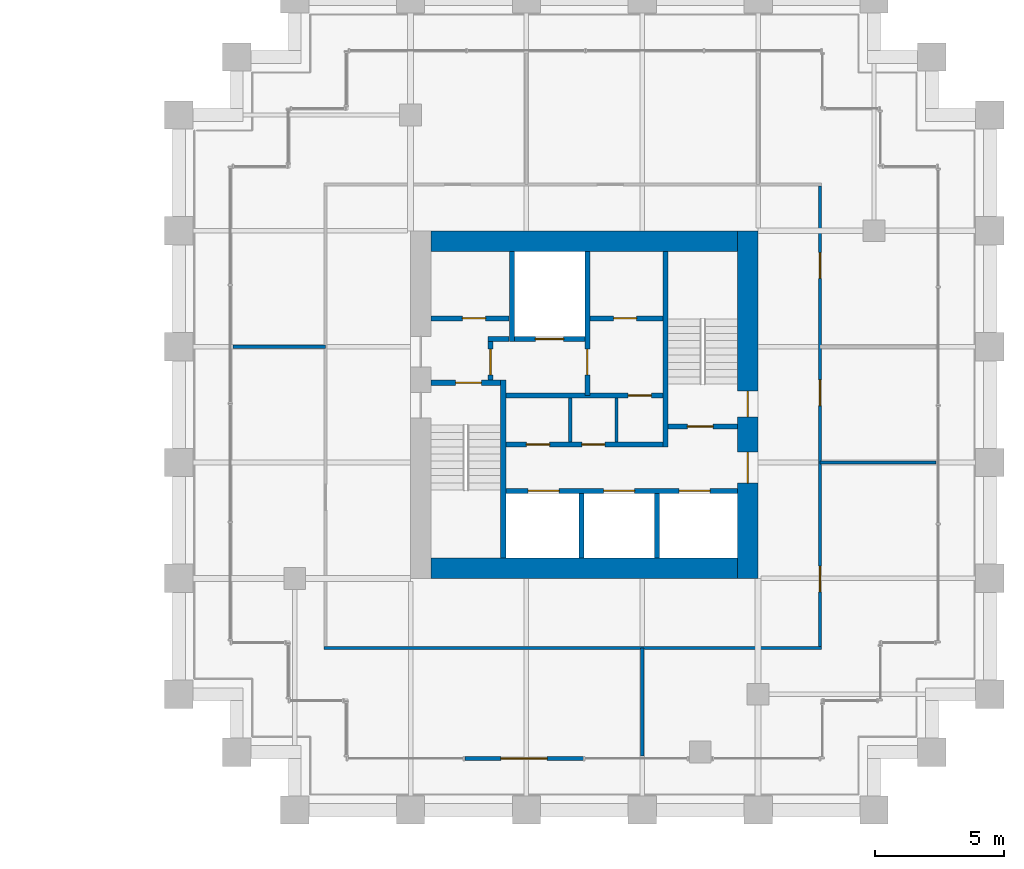
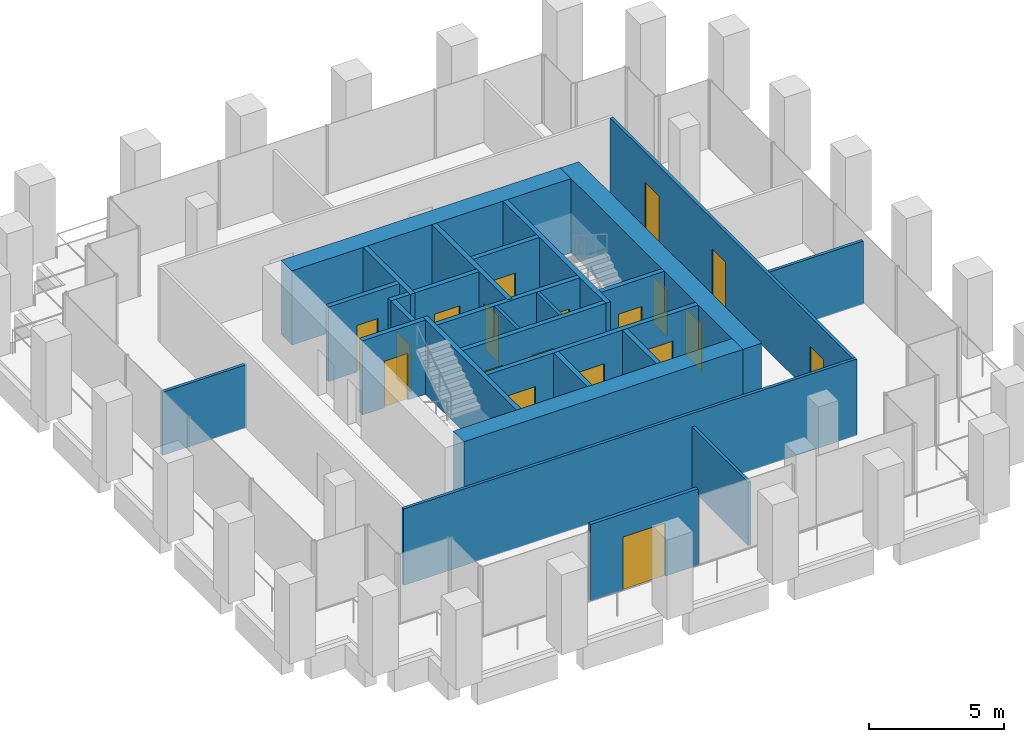
# One storey, part 52 of 54: 27 walls, 19 doors, 19 openings.
"""IFC4 building model written with IfcOpenShell, lengths in metres."""

from ifc_helpers import new_model, si_unit, direction, frame, frame_2d, origin, place, context, subcontext, project, spatial, rectangle, extrude, material, layer, layer_set, type_object, element, fill, save


model = new_model("IFC4")

# Units and contexts
model_context = context("Model", 3, precision=1e-05, world=origin(), true_north=direction((0.0, 1.0)))
body_context = subcontext(model_context, "Body", "Model", "MODEL_VIEW")
ifc_project = project(units=[si_unit("LENGTHUNIT", "METRE"), si_unit("AREAUNIT", "SQUARE_METRE"), si_unit("VOLUMEUNIT", "CUBIC_METRE"), si_unit("PLANEANGLEUNIT", "RADIAN"), si_unit("MASSUNIT", "GRAM", prefix="KILO")], contexts=[model_context])

# Site, building, storey
site_placement = place(None, origin())
site = spatial("IfcSite", under=ifc_project, at=site_placement, CompositionType="ELEMENT")
building_placement = place(site_placement, origin())
building = spatial("IfcBuilding", under=site, at=building_placement, Name="Altepetl Exchange Towers", CompositionType="ELEMENT")
storey_placement = place(building_placement, frame((0.0, 0.0, 58.199951171875)))
storey = spatial("IfcBuildingStorey", under=building, at=storey_placement, Name="L13", CompositionType="ELEMENT", Elevation=58.199951171875)

# Wall, openings, doors
ifc_material_1 = material(Name="Concrete C70/85", Category="concrete")
ifc_layer_1 = layer(ifc_material_1, 0.800048828125)
ifc_layer_set_1 = layer_set([ifc_layer_1], Name="Concrete C70/85")
wall_type_1 = type_object("IfcWallType", Name="Core wall 800 reinforced concrete", PredefinedType="SHEAR", material=ifc_layer_set_1)
wall_1_placement = place(storey_placement, frame((116.60009765625, 36.0, 0.0), z_axis=(0.0, 0.0, 1.0), x_axis=(0.0, 1.0, 0.0)))
wall_1 = element("IfcWall", 1, at=wall_1_placement, inside=storey, type_object=wall_type_1, Name="wall:B:L13:K-coreE", PredefinedType="SHEAR", context=body_context, shape_type="SweptSolid", body=[
    extrude(rectangle(XDim=13.5, YDim=0.800048828125, at=frame_2d((6.75, 0.0))), origin(), (0.0, 0.0, 1.0), 3.35009765625),
])
opening_1_placement = place(wall_1_placement, frame((3.699951171875, 0.0, 0.0)))
opening_1 = element("IfcOpeningElement", 2, at=opening_1_placement, cuts=wall_1, Name="Opening L13.B61", PredefinedType="OPENING", context=body_context, shape_type="SweptSolid", body=[
    extrude(rectangle(XDim=1.199951171875, YDim=2.10009765625, at=frame_2d((0.60009765625, 1.050048828125))), frame((0.0, 0.41015625, 0.0), z_axis=(0.0, -1.0, 0.0), x_axis=(1.0, 0.0, 0.0)), (0.0, 0.0, 1.0), 0.820068359375),
])
opening_2_placement = place(wall_1_placement, frame((6.27490234375, 0.0, 0.0)))
opening_2 = element("IfcOpeningElement", 3, at=opening_2_placement, cuts=wall_1, Name="Opening L13.B65", PredefinedType="OPENING", context=body_context, shape_type="SweptSolid", body=[
    extrude(rectangle(XDim=1.0, YDim=2.10009765625, at=frame_2d((0.5, 1.050048828125))), frame((0.0, 0.41015625, 0.0), z_axis=(0.0, -1.0, 0.0), x_axis=(1.0, 0.0, 0.0)), (0.0, 0.0, 1.0), 0.820068359375),
])
ifc_material_2 = material(Name="Steel and timber fire door", Category="steel")
door_type_1 = type_object("IfcDoorType", Name="Fire door 1000 x 2100 stair and lobby", OperationType="SINGLE_SWING_LEFT", PredefinedType="DOOR", material=ifc_material_2)
door_1_placement = place(opening_2_placement, origin())
door_1 = element("IfcDoor", 4, at=door_1_placement, inside=storey, type_object=door_type_1, Name="door:B:L13:K-dS2x", OperationType="SINGLE_SWING_LEFT", OverallHeight=2.10009765625, OverallWidth=1.0, PredefinedType="DOOR", context=body_context, shape_type="SweptSolid", body=[
    extrude(rectangle(XDim=1.0, YDim=2.10009765625, at=frame_2d((0.5, 1.050048828125))), frame((0.0, 0.02490234375, 0.0), z_axis=(0.0, -1.0, 0.0), x_axis=(1.0, 0.0, 0.0)), (0.0, 0.0, 1.0), 0.050048828125),
])
fill(opening_2, door_1)
door_type_2 = type_object("IfcDoorType", Name="Fire door 1200 x 2100 lobby entry", OperationType="SINGLE_SWING_LEFT", PredefinedType="DOOR", material=ifc_material_2)
door_2_placement = place(opening_1_placement, origin())
door_2 = element("IfcDoor", 5, at=door_2_placement, inside=storey, type_object=door_type_2, Name="door:B:L13:K-dLSE", OperationType="SINGLE_SWING_RIGHT", OverallHeight=2.10009765625, OverallWidth=1.199951171875, PredefinedType="DOOR", context=body_context, shape_type="SweptSolid", body=[
    extrude(rectangle(XDim=1.199951171875, YDim=2.10009765625, at=frame_2d((0.60009765625, 1.050048828125))), frame((0.0, 0.02490234375, 0.0), z_axis=(0.0, -1.0, 0.0), x_axis=(1.0, 0.0, 0.0)), (0.0, 0.0, 1.0), 0.050048828125),
])
fill(opening_1, door_2)

# Walls
for number, where, name in (
    (6, (104.300048828125, 49.10009765625, 0.0), "wall:B:L13:K-coreN"),
    (7, (104.300048828125, 36.39990234375, 0.0), "wall:B:L13:K-coreS"),
):
    element("IfcWall", number, at=place(storey_placement, frame(where)), inside=storey, type_object=wall_type_1, Name=name, PredefinedType="SHEAR", context=body_context, shape_type="SweptSolid", body=[
        extrude(rectangle(XDim=11.89990234375, YDim=0.800048828125, at=frame_2d((5.949951171875, 0.0))), origin(), (0.0, 0.0, 1.0), 3.35009765625),
    ])

# Wall, opening, door
ifc_material_3 = material(Name="Aluminium composite cladding", Category="aluminium")
ifc_layer_2 = layer(ifc_material_3, 0.14990234375)
ifc_layer_set_2 = layer_set([ifc_layer_2], Name="Aluminium composite cladding")
wall_type_2 = type_object("IfcWallType", Name="Infill wall 150 aluminium panel", PredefinedType="SOLIDWALL", material=ifc_layer_set_2)
wall_2_placement = place(storey_placement, frame((105.606201171875, 29.0, 0.0)))
wall_2 = element("IfcWall", 8, at=wall_2_placement, inside=storey, type_object=wall_type_2, Name="Loggia door bay wall", PredefinedType="SOLIDWALL", context=body_context, shape_type="SweptSolid", body=[
    extrude(rectangle(XDim=4.606201171875, YDim=0.14990234375, at=frame_2d((2.30322265625, 0.0))), origin(), (0.0, 0.0, 1.0), 3.449951171875),
])
opening_3_placement = place(wall_2_placement, frame((1.403076171875, 0.0, 0.0)))
opening_3 = element("IfcOpeningElement", 9, at=opening_3_placement, cuts=wall_2, Name="Opening L13.B90", PredefinedType="OPENING", context=body_context, shape_type="SweptSolid", body=[
    extrude(rectangle(XDim=1.800048828125, YDim=2.39990234375, at=frame_2d((0.89990234375, 1.199951171875))), frame((0.0, 0.0849609375, 0.0), z_axis=(0.0, -1.0, 0.0), x_axis=(1.0, 0.0, 0.0)), (0.0, 0.0, 1.0), 0.169921875),
])
ifc_material_4 = material(Name="Aluminium 6063-T6 and glass", Category="aluminium")
door_type_3 = type_object("IfcDoorType", Name="Glazed door pair 1800x2400", OperationType="DOUBLE_DOOR_DOUBLE_SWING", PredefinedType="NOTDEFINED", material=ifc_material_4)
door_3_placement = place(opening_3_placement, frame((1.800048828125, 0.0, 0.0), x_axis=(-1.0, 0.0, 0.0)))
door_3 = element("IfcDoor", 10, at=door_3_placement, inside=storey, type_object=door_type_3, Name="Loggia door", OperationType="DOUBLE_DOOR_DOUBLE_SWING", OverallHeight=2.39990234375, OverallWidth=1.800048828125, PredefinedType="NOTDEFINED", context=body_context, shape_type="SweptSolid", body=[
    extrude(rectangle(XDim=1.800048828125, YDim=2.39990234375, at=frame_2d((0.89990234375, 1.199951171875))), frame((0.0, 0.02490234375, 0.0), z_axis=(0.0, -1.0, 0.0), x_axis=(1.0, 0.0, 0.0)), (0.0, 0.0, 1.0), 0.050048828125),
])
fill(opening_3, door_3)

# Wall
ifc_material_5 = material(Name="Concrete blockwork", Category="masonry")
ifc_layer_3 = layer(ifc_material_5, 0.199951171875)
ifc_layer_set_3 = layer_set([ifc_layer_3], Name="Concrete blockwork")
wall_type_3 = type_object("IfcWallType", Name="Lobby wall 200 blockwork", PredefinedType="PARTITIONING", material=ifc_layer_set_3)
wall_3_placement = place(storey_placement, frame((106.5, 45.300048828125, 0.0)))
element("IfcWall", 11, at=wall_3_placement, inside=storey, type_object=wall_type_3, Name="wall:B:L13:K-ffNw", PredefinedType="PARTITIONING", context=body_context, shape_type="SweptSolid", body=[
    extrude(rectangle(XDim=0.833251953125, YDim=0.199951171875, at=frame_2d((0.41650390625, 0.0))), origin(), (0.0, 0.0, 1.0), 3.35009765625),
])

# Wall, opening, door
wall_4_placement = place(storey_placement, frame((106.60009765625, 43.699951171875, 0.0), z_axis=(0.0, 0.0, 1.0), x_axis=(0.0, 1.0, 0.0)))
wall_4 = element("IfcWall", 12, at=wall_4_placement, inside=storey, type_object=wall_type_3, Name="wall:B:L13:K-ffW", PredefinedType="PARTITIONING", context=body_context, shape_type="SweptSolid", body=[
    extrude(rectangle(XDim=1.5, YDim=0.199951171875, at=frame_2d((0.75, 0.0))), origin(), (0.0, 0.0, 1.0), 3.35009765625),
])
opening_4_placement = place(wall_4_placement, frame((0.199951171875, 0.0, 0.0)))
opening_4 = element("IfcOpeningElement", 13, at=opening_4_placement, cuts=wall_4, Name="Opening L13.B67", PredefinedType="OPENING", context=body_context, shape_type="SweptSolid", body=[
    extrude(rectangle(XDim=1.0, YDim=2.10009765625, at=frame_2d((0.5, 1.050048828125))), frame((0.0, 0.10986328125, 0.0), z_axis=(0.0, -1.0, 0.0), x_axis=(1.0, 0.0, 0.0)), (0.0, 0.0, 1.0), 0.219970703125),
])
door_4_placement = place(opening_4_placement, frame((1.0, 0.0, 0.0), x_axis=(-1.0, 0.0, 0.0)))
door_4 = element("IfcDoor", 14, at=door_4_placement, inside=storey, type_object=door_type_1, Name="door:B:L13:K-dffW", OperationType="SINGLE_SWING_LEFT", OverallHeight=2.10009765625, OverallWidth=1.0, PredefinedType="DOOR", context=body_context, shape_type="SweptSolid", body=[
    extrude(rectangle(XDim=1.0, YDim=2.10009765625, at=frame_2d((0.5, 1.050048828125))), frame((0.0, 0.02490234375, 0.0), z_axis=(0.0, -1.0, 0.0), x_axis=(1.0, 0.0, 0.0)), (0.0, 0.0, 1.0), 0.050048828125),
])
fill(opening_4, door_4)

wall_5_placement = place(storey_placement, frame((107.199951171875, 43.10009765625, 0.0)))
wall_5 = element("IfcWall", 15, at=wall_5_placement, inside=storey, type_object=wall_type_3, Name="wall:B:L13:K-zoneN", PredefinedType="PARTITIONING", context=body_context, shape_type="SweptSolid", body=[
    extrude(rectangle(XDim=6.10009765625, YDim=0.199951171875, at=frame_2d((3.050048828125, 0.0))), origin(), (0.0, 0.0, 1.0), 3.35009765625),
])
opening_5_placement = place(wall_5_placement, frame((4.75, 0.0, 0.0)))
opening_5 = element("IfcOpeningElement", 16, at=opening_5_placement, cuts=wall_5, Name="Opening L13.B72", PredefinedType="OPENING", context=body_context, shape_type="SweptSolid", body=[
    extrude(rectangle(XDim=0.89990234375, YDim=2.10009765625, at=frame_2d((0.449951171875, 1.050048828125))), frame((0.0, 0.10986328125, 0.0), z_axis=(0.0, -1.0, 0.0), x_axis=(1.0, 0.0, 0.0)), (0.0, 0.0, 1.0), 0.219970703125),
])
door_type_4 = type_object("IfcDoorType", Name="Fire door 900 x 2100 service room", OperationType="SINGLE_SWING_LEFT", PredefinedType="DOOR", material=ifc_material_2)
door_5_placement = place(opening_5_placement, frame((0.89990234375, 0.0, 0.0), x_axis=(-1.0, 0.0, 0.0)))
door_5 = element("IfcDoor", 17, at=door_5_placement, inside=storey, type_object=door_type_4, Name="door:B:L13:K-dz3", OperationType="SINGLE_SWING_RIGHT", OverallHeight=2.10009765625, OverallWidth=0.89990234375, PredefinedType="DOOR", context=body_context, shape_type="SweptSolid", body=[
    extrude(rectangle(XDim=0.89990234375, YDim=2.10009765625, at=frame_2d((0.449951171875, 1.050048828125))), frame((0.0, 0.02490234375, 0.0), z_axis=(0.0, -1.0, 0.0), x_axis=(1.0, 0.0, 0.0)), (0.0, 0.0, 1.0), 0.050048828125),
])
fill(opening_5, door_5)

# Wall, openings, doors
wall_6_placement = place(storey_placement, frame((107.199951171875, 41.199951171875, 0.0)))
wall_6 = element("IfcWall", 18, at=wall_6_placement, inside=storey, type_object=wall_type_3, Name="wall:B:L13:K-zoneS", PredefinedType="PARTITIONING", context=body_context, shape_type="SweptSolid", body=[
    extrude(rectangle(XDim=6.10009765625, YDim=0.199951171875, at=frame_2d((3.050048828125, 0.0))), origin(), (0.0, 0.0, 1.0), 3.35009765625),
])
opening_6_placement = place(wall_6_placement, frame((0.800048828125, 0.0, 0.0)))
opening_6 = element("IfcOpeningElement", 19, at=opening_6_placement, cuts=wall_6, Name="Opening L13.B70", PredefinedType="OPENING", context=body_context, shape_type="SweptSolid", body=[
    extrude(rectangle(XDim=0.89990234375, YDim=2.10009765625, at=frame_2d((0.449951171875, 1.050048828125))), frame((0.0, 0.10986328125, 0.0), z_axis=(0.0, -1.0, 0.0), x_axis=(1.0, 0.0, 0.0)), (0.0, 0.0, 1.0), 0.219970703125),
])
opening_7_placement = place(wall_6_placement, frame((2.949951171875, 0.0, 0.0)))
opening_7 = element("IfcOpeningElement", 20, at=opening_7_placement, cuts=wall_6, Name="Opening L13.B71", PredefinedType="OPENING", context=body_context, shape_type="SweptSolid", body=[
    extrude(rectangle(XDim=0.89990234375, YDim=2.10009765625, at=frame_2d((0.449951171875, 1.050048828125))), frame((0.0, 0.10986328125, 0.0), z_axis=(0.0, -1.0, 0.0), x_axis=(1.0, 0.0, 0.0)), (0.0, 0.0, 1.0), 0.219970703125),
])
door_6_placement = place(opening_6_placement, origin())
door_6 = element("IfcDoor", 21, at=door_6_placement, inside=storey, type_object=door_type_4, Name="door:B:L13:K-dz1", OperationType="SINGLE_SWING_RIGHT", OverallHeight=2.10009765625, OverallWidth=0.89990234375, PredefinedType="DOOR", context=body_context, shape_type="SweptSolid", body=[
    extrude(rectangle(XDim=0.89990234375, YDim=2.10009765625, at=frame_2d((0.449951171875, 1.050048828125))), frame((0.0, 0.02490234375, 0.0), z_axis=(0.0, -1.0, 0.0), x_axis=(1.0, 0.0, 0.0)), (0.0, 0.0, 1.0), 0.050048828125),
])
fill(opening_6, door_6)
door_7_placement = place(opening_7_placement, origin())
door_7 = element("IfcDoor", 22, at=door_7_placement, inside=storey, type_object=door_type_4, Name="door:B:L13:K-dz2", OperationType="SINGLE_SWING_RIGHT", OverallHeight=2.10009765625, OverallWidth=0.89990234375, PredefinedType="DOOR", context=body_context, shape_type="SweptSolid", body=[
    extrude(rectangle(XDim=0.89990234375, YDim=2.10009765625, at=frame_2d((0.449951171875, 1.050048828125))), frame((0.0, 0.02490234375, 0.0), z_axis=(0.0, -1.0, 0.0), x_axis=(1.0, 0.0, 0.0)), (0.0, 0.0, 1.0), 0.050048828125),
])
fill(opening_7, door_7)

# Walls
ifc_material_6 = material(Name="Gypsum board on steel studs", Category="steel")
ifc_layer_4 = layer(ifc_material_6, 0.125)
ifc_layer_set_4 = layer_set([ifc_layer_4], Name="Gypsum board on steel studs")
wall_type_4 = type_object("IfcWallType", Name="Partition 125 gypsum board on steel studs", PredefinedType="PARTITIONING", material=ifc_layer_set_4)
for number, where, z_axis, x_axis, name in (
    (23, (109.699951171875, 41.300048828125, 0.0), (0.0, 0.0, 1.0), (0.0, 1.0, 0.0), "wall:B:L13:K-zp1"),
    (24, (111.5, 41.300048828125, 0.0), (0.0, 0.0, 1.0), (0.0, 1.0, 0.0), "wall:B:L13:K-zp2"),
):
    element("IfcWall", number, at=place(storey_placement, frame(where, z_axis=z_axis, x_axis=x_axis)), inside=storey, type_object=wall_type_4, Name=name, PredefinedType="PARTITIONING", context=body_context, shape_type="SweptSolid", body=[
        extrude(rectangle(XDim=1.699951171875, YDim=0.125, at=frame_2d((0.85009765625, 0.0))), origin(), (0.0, 0.0, 1.0), 3.35009765625),
    ])
wall_7_placement = place(storey_placement, frame((100.137451171875, 33.300048828125, 0.0)))
element("IfcWall", 25, at=wall_7_placement, inside=storey, type_object=wall_type_4, Name="wall:B:L13:P01", PredefinedType="PARTITIONING", context=body_context, shape_type="SweptSolid", body=[
    extrude(rectangle(XDim=19.324951171875, YDim=0.125, at=frame_2d((9.66259765625, 0.0))), origin(), (0.0, 0.0, 1.0), 3.449951171875),
])
wall_8_placement = place(storey_placement, frame((119.39990234375, 40.5, 0.0)))
element("IfcWall", 26, at=wall_8_placement, inside=storey, type_object=wall_type_4, Name="wall:B:L13:P02", PredefinedType="PARTITIONING", context=body_context, shape_type="SweptSolid", body=[
    extrude(rectangle(XDim=4.5, YDim=0.125, at=frame_2d((2.25, 0.0))), origin(), (0.0, 0.0, 1.0), 2.85107421875),
])
wall_9_placement = place(storey_placement, frame((96.60009765625, 45.0, 0.0)))
element("IfcWall", 27, at=wall_9_placement, inside=storey, type_object=wall_type_4, Name="wall:B:L13:P03", PredefinedType="PARTITIONING", context=body_context, shape_type="SweptSolid", body=[
    extrude(rectangle(XDim=3.599853515625, YDim=0.125, at=frame_2d((1.7998046875, 0.0))), origin(), (0.0, 0.0, 1.0), 2.85107421875),
])
wall_10_placement = place(storey_placement, frame((112.5, 29.10009765625, 0.0), z_axis=(0.0, 0.0, 1.0), x_axis=(0.0, 1.0, 0.0)))
element("IfcWall", 28, at=wall_10_placement, inside=storey, type_object=wall_type_4, Name="wall:B:L13:P08", PredefinedType="PARTITIONING", context=body_context, shape_type="SweptSolid", body=[
    extrude(rectangle(XDim=4.199951171875, YDim=0.125, at=frame_2d((2.10009765625, 0.0))), origin(), (0.0, 0.0, 1.0), 2.85107421875),
])

# Wall, openings, doors
wall_11_placement = place(storey_placement, frame((119.39990234375, 33.362548828125, 0.0), z_axis=(0.0, 0.0, 1.0), x_axis=(0.0, 1.0, 0.0)))
wall_11 = element("IfcWall", 29, at=wall_11_placement, inside=storey, type_object=wall_type_4, Name="wall:B:L13:P10", PredefinedType="PARTITIONING", context=body_context, shape_type="SweptSolid", body=[
    extrude(rectangle(XDim=17.875, YDim=0.125, at=frame_2d((8.9375, 0.0))), origin(), (0.0, 0.0, 1.0), 3.449951171875),
])
opening_8_placement = place(wall_11_placement, frame((2.109619140625, 0.0, 0.0)))
opening_8 = element("IfcOpeningElement", 30, at=opening_8_placement, cuts=wall_11, Name="Opening L13.B02", PredefinedType="OPENING", context=body_context, shape_type="SweptSolid", body=[
    extrude(rectangle(XDim=1.0, YDim=2.10009765625, at=frame_2d((0.5, 1.050048828125))), frame((0.0, 0.072509765625, 0.0), z_axis=(0.0, -1.0, 0.0), x_axis=(1.0, 0.0, 0.0)), (0.0, 0.0, 1.0), 0.14501953125),
])
opening_9_placement = place(wall_11_placement, frame((9.342529296875, 0.0, 0.0)))
opening_9 = element("IfcOpeningElement", 31, at=opening_9_placement, cuts=wall_11, Name="Opening L13.B03", PredefinedType="OPENING", context=body_context, shape_type="SweptSolid", body=[
    extrude(rectangle(XDim=1.0, YDim=2.10009765625, at=frame_2d((0.5, 1.050048828125))), frame((0.0, 0.072509765625, 0.0), z_axis=(0.0, -1.0, 0.0), x_axis=(1.0, 0.0, 0.0)), (0.0, 0.0, 1.0), 0.14501953125),
])
opening_10_placement = place(wall_11_placement, frame((14.28759765625, 0.0, 0.0)))
opening_10 = element("IfcOpeningElement", 32, at=opening_10_placement, cuts=wall_11, Name="Opening L13.B04", PredefinedType="OPENING", context=body_context, shape_type="SweptSolid", body=[
    extrude(rectangle(XDim=1.0, YDim=2.10009765625, at=frame_2d((0.5, 1.050048828125))), frame((0.0, 0.072509765625, 0.0), z_axis=(0.0, -1.0, 0.0), x_axis=(1.0, 0.0, 0.0)), (0.0, 0.0, 1.0), 0.14501953125),
])
door_type_5 = type_object("IfcDoorType", Name="Fire door 1000 x 2100 single leaf", OperationType="SINGLE_SWING_LEFT", PredefinedType="DOOR", material=ifc_material_2)
door_8_placement = place(opening_8_placement, frame((1.0, 0.0, 0.0), x_axis=(-1.0, 0.0, 0.0)))
door_8 = element("IfcDoor", 33, at=door_8_placement, inside=storey, type_object=door_type_5, Name="door:B:L13:02", OperationType="SINGLE_SWING_RIGHT", OverallHeight=2.10009765625, OverallWidth=1.0, PredefinedType="DOOR", context=body_context, shape_type="SweptSolid", body=[
    extrude(rectangle(XDim=1.0, YDim=2.10009765625, at=frame_2d((0.5, 1.050048828125))), frame((0.0, 0.02490234375, 0.0), z_axis=(0.0, -1.0, 0.0), x_axis=(1.0, 0.0, 0.0)), (0.0, 0.0, 1.0), 0.050048828125),
])
fill(opening_8, door_8)
door_9_placement = place(opening_9_placement, frame((1.0, 0.0, 0.0), x_axis=(-1.0, 0.0, 0.0)))
door_9 = element("IfcDoor", 34, at=door_9_placement, inside=storey, type_object=door_type_5, Name="door:B:L13:03", OperationType="SINGLE_SWING_LEFT", OverallHeight=2.10009765625, OverallWidth=1.0, PredefinedType="DOOR", context=body_context, shape_type="SweptSolid", body=[
    extrude(rectangle(XDim=1.0, YDim=2.10009765625, at=frame_2d((0.5, 1.050048828125))), frame((0.0, 0.02490234375, 0.0), z_axis=(0.0, -1.0, 0.0), x_axis=(1.0, 0.0, 0.0)), (0.0, 0.0, 1.0), 0.050048828125),
])
fill(opening_9, door_9)
door_10_placement = place(opening_10_placement, frame((1.0, 0.0, 0.0), x_axis=(-1.0, 0.0, 0.0)))
door_10 = element("IfcDoor", 35, at=door_10_placement, inside=storey, type_object=door_type_5, Name="door:B:L13:04", OperationType="SINGLE_SWING_RIGHT", OverallHeight=2.10009765625, OverallWidth=1.0, PredefinedType="DOOR", context=body_context, shape_type="SweptSolid", body=[
    extrude(rectangle(XDim=1.0, YDim=2.10009765625, at=frame_2d((0.5, 1.050048828125))), frame((0.0, 0.02490234375, 0.0), z_axis=(0.0, -1.0, 0.0), x_axis=(1.0, 0.0, 0.0)), (0.0, 0.0, 1.0), 0.050048828125),
])
fill(opening_10, door_10)

# Wall
ifc_material_7 = material(Name="Concrete C40/50", Category="concrete")
ifc_layer_5 = layer(ifc_material_7, 0.199951171875)
ifc_layer_set_5 = layer_set([ifc_layer_5], Name="Concrete C40/50")
wall_type_5 = type_object("IfcWallType", Name="Shaft wall 200 reinforced concrete", PredefinedType="SHEAR", material=ifc_layer_set_5)
wall_12_placement = place(storey_placement, frame((107.433349609375, 48.699951171875, 0.0), z_axis=(0.0, 0.0, 1.0), x_axis=(0.0, -1.0, 0.0)))
element("IfcWall", 36, at=wall_12_placement, inside=storey, type_object=wall_type_5, Name="wall:B:L13:K-divN1", PredefinedType="SHEAR", context=body_context, shape_type="SweptSolid", body=[
    extrude(rectangle(XDim=3.5, YDim=0.199951171875, at=frame_2d((1.75, 0.0))), origin(), (0.0, 0.0, 1.0), 3.35009765625),
])

# Wall, opening, door
wall_13_placement = place(storey_placement, frame((110.36669921875, 48.699951171875, 0.0), z_axis=(0.0, 0.0, 1.0), x_axis=(0.0, -1.0, 0.0)))
wall_13 = element("IfcWall", 37, at=wall_13_placement, inside=storey, type_object=wall_type_5, Name="wall:B:L13:K-divN2", PredefinedType="SHEAR", context=body_context, shape_type="SweptSolid", body=[
    extrude(rectangle(XDim=5.599853515625, YDim=0.199951171875, at=frame_2d((2.7998046875, 0.0))), origin(), (0.0, 0.0, 1.0), 3.35009765625),
])
opening_11_placement = place(wall_13_placement, frame((3.800048828125, 0.0, 0.0)))
opening_11 = element("IfcOpeningElement", 38, at=opening_11_placement, cuts=wall_13, Name="Opening L13.B66", PredefinedType="OPENING", context=body_context, shape_type="SweptSolid", body=[
    extrude(rectangle(XDim=1.0, YDim=2.10009765625, at=frame_2d((0.5, 1.050048828125))), frame((0.0, 0.10986328125, 0.0), z_axis=(0.0, -1.0, 0.0), x_axis=(1.0, 0.0, 0.0)), (0.0, 0.0, 1.0), 0.219970703125),
])
door_11_placement = place(opening_11_placement, frame((1.0, 0.0, 0.0), x_axis=(-1.0, 0.0, 0.0)))
door_11 = element("IfcDoor", 39, at=door_11_placement, inside=storey, type_object=door_type_1, Name="door:B:L13:K-dffE", OperationType="SINGLE_SWING_RIGHT", OverallHeight=2.10009765625, OverallWidth=1.0, PredefinedType="DOOR", context=body_context, shape_type="SweptSolid", body=[
    extrude(rectangle(XDim=1.0, YDim=2.10009765625, at=frame_2d((0.5, 1.050048828125))), frame((0.0, 0.02490234375, 0.0), z_axis=(0.0, -1.0, 0.0), x_axis=(1.0, 0.0, 0.0)), (0.0, 0.0, 1.0), 0.050048828125),
])
fill(opening_11, door_11)

# Walls
for number, where, z_axis, x_axis, name in (
    (40, (110.13330078125, 36.800048828125, 0.0), (0.0, 0.0, 1.0), (0.0, 1.0, 0.0), "wall:B:L13:K-divS1"),
    (41, (113.066650390625, 36.800048828125, 0.0), (0.0, 0.0, 1.0), (0.0, 1.0, 0.0), "wall:B:L13:K-divS2"),
):
    element("IfcWall", number, at=place(storey_placement, frame(where, z_axis=z_axis, x_axis=x_axis)), inside=storey, type_object=wall_type_5, Name=name, PredefinedType="SHEAR", context=body_context, shape_type="SweptSolid", body=[
        extrude(rectangle(XDim=2.5, YDim=0.199951171875, at=frame_2d((1.25, 0.0))), origin(), (0.0, 0.0, 1.0), 3.35009765625),
    ])

# Wall, opening, door
wall_14_placement = place(storey_placement, frame((104.300048828125, 46.10009765625, 0.0)))
wall_14 = element("IfcWall", 42, at=wall_14_placement, inside=storey, type_object=wall_type_5, Name="wall:B:L13:K-frontNa", PredefinedType="SHEAR", context=body_context, shape_type="SweptSolid", body=[
    extrude(rectangle(XDim=3.033203125, YDim=0.199951171875, at=frame_2d((1.5166015625, 0.0))), origin(), (0.0, 0.0, 1.0), 3.35009765625),
])
opening_12_placement = place(wall_14_placement, frame((1.216796875, 0.0, 0.0)))
opening_12 = element("IfcOpeningElement", 43, at=opening_12_placement, cuts=wall_14, Name="Opening L13.B68", PredefinedType="OPENING", context=body_context, shape_type="SweptSolid", body=[
    extrude(rectangle(XDim=0.89990234375, YDim=2.10009765625, at=frame_2d((0.449951171875, 1.050048828125))), frame((0.0, 0.10986328125, 0.0), z_axis=(0.0, -1.0, 0.0), x_axis=(1.0, 0.0, 0.0)), (0.0, 0.0, 1.0), 0.219970703125),
])
door_12_placement = place(opening_12_placement, origin())
door_12 = element("IfcDoor", 44, at=door_12_placement, inside=storey, type_object=door_type_4, Name="door:B:L13:K-dslotN0", OperationType="SINGLE_SWING_RIGHT", OverallHeight=2.10009765625, OverallWidth=0.89990234375, PredefinedType="DOOR", context=body_context, shape_type="SweptSolid", body=[
    extrude(rectangle(XDim=0.89990234375, YDim=2.10009765625, at=frame_2d((0.449951171875, 1.050048828125))), frame((0.0, 0.02490234375, 0.0), z_axis=(0.0, -1.0, 0.0), x_axis=(1.0, 0.0, 0.0)), (0.0, 0.0, 1.0), 0.050048828125),
])
fill(opening_12, door_12)

wall_15_placement = place(storey_placement, frame((110.466796875, 46.10009765625, 0.0)))
wall_15 = element("IfcWall", 45, at=wall_15_placement, inside=storey, type_object=wall_type_5, Name="wall:B:L13:K-frontNb", PredefinedType="SHEAR", context=body_context, shape_type="SweptSolid", body=[
    extrude(rectangle(XDim=2.833251953125, YDim=0.199951171875, at=frame_2d((1.41650390625, 0.0))), origin(), (0.0, 0.0, 1.0), 3.35009765625),
])
opening_13_placement = place(wall_15_placement, frame((0.91650390625, 0.0, 0.0)))
opening_13 = element("IfcOpeningElement", 46, at=opening_13_placement, cuts=wall_15, Name="Opening L13.B69", PredefinedType="OPENING", context=body_context, shape_type="SweptSolid", body=[
    extrude(rectangle(XDim=0.89990234375, YDim=2.10009765625, at=frame_2d((0.449951171875, 1.050048828125))), frame((0.0, 0.10986328125, 0.0), z_axis=(0.0, -1.0, 0.0), x_axis=(1.0, 0.0, 0.0)), (0.0, 0.0, 1.0), 0.219970703125),
])
door_13_placement = place(opening_13_placement, origin())
door_13 = element("IfcDoor", 47, at=door_13_placement, inside=storey, type_object=door_type_4, Name="door:B:L13:K-dslotN2", OperationType="SINGLE_SWING_RIGHT", OverallHeight=2.10009765625, OverallWidth=0.89990234375, PredefinedType="DOOR", context=body_context, shape_type="SweptSolid", body=[
    extrude(rectangle(XDim=0.89990234375, YDim=2.10009765625, at=frame_2d((0.449951171875, 1.050048828125))), frame((0.0, 0.02490234375, 0.0), z_axis=(0.0, -1.0, 0.0), x_axis=(1.0, 0.0, 0.0)), (0.0, 0.0, 1.0), 0.050048828125),
])
fill(opening_13, door_13)

wall_16_placement = place(storey_placement, frame((107.533203125, 45.300048828125, 0.0)))
wall_16 = element("IfcWall", 48, at=wall_16_placement, inside=storey, type_object=wall_type_5, Name="wall:B:L13:K-frontNd", PredefinedType="SHEAR", context=body_context, shape_type="SweptSolid", body=[
    extrude(rectangle(XDim=2.7333984375, YDim=0.199951171875, at=frame_2d((1.36669921875, 0.0))), origin(), (0.0, 0.0, 1.0), 3.35009765625),
])
opening_14_placement = place(wall_16_placement, frame((0.816650390625, 0.0, 0.0)))
opening_14 = element("IfcOpeningElement", 49, at=opening_14_placement, cuts=wall_16, Name="Opening L13.B73", PredefinedType="OPENING", context=body_context, shape_type="SweptSolid", body=[
    extrude(rectangle(XDim=1.10009765625, YDim=2.10009765625, at=frame_2d((0.550048828125, 1.050048828125))), frame((0.0, 0.10986328125, 0.0), z_axis=(0.0, -1.0, 0.0), x_axis=(1.0, 0.0, 0.0)), (0.0, 0.0, 1.0), 0.219970703125),
])
ifc_material_8 = material(Name="Stainless steel", Category="steel")
door_type_6 = type_object("IfcDoorType", Name="Lift landing door 1100 x 2100", OperationType="SLIDING_TO_LEFT", PredefinedType="DOOR", material=ifc_material_8)
door_14_placement = place(opening_14_placement, origin())
door_14 = element("IfcDoor", 50, at=door_14_placement, inside=storey, type_object=door_type_6, Name="Landing door FFL1", OperationType="SLIDING_TO_LEFT", OverallHeight=2.10009765625, OverallWidth=1.10009765625, PredefinedType="DOOR", context=body_context, shape_type="SweptSolid", body=[
    extrude(rectangle(XDim=1.10009765625, YDim=2.10009765625, at=frame_2d((0.550048828125, 1.050048828125))), frame((0.0, 0.02490234375, 0.0), z_axis=(0.0, -1.0, 0.0), x_axis=(1.0, 0.0, 0.0)), (0.0, 0.0, 1.0), 0.050048828125),
])
fill(opening_14, door_14)

# Wall, openings, doors
wall_17_placement = place(storey_placement, frame((107.199951171875, 39.39990234375, 0.0)))
wall_17 = element("IfcWall", 51, at=wall_17_placement, inside=storey, type_object=wall_type_5, Name="wall:B:L13:K-frontS", PredefinedType="SHEAR", context=body_context, shape_type="SweptSolid", body=[
    extrude(rectangle(XDim=9.0, YDim=0.199951171875, at=frame_2d((4.5, 0.0))), origin(), (0.0, 0.0, 1.0), 3.35009765625),
])
opening_15_placement = place(wall_17_placement, frame((0.86669921875, 0.0, 0.0)))
opening_15 = element("IfcOpeningElement", 52, at=opening_15_placement, cuts=wall_17, Name="Opening L13.B74", PredefinedType="OPENING", context=body_context, shape_type="SweptSolid", body=[
    extrude(rectangle(XDim=1.199951171875, YDim=2.10009765625, at=frame_2d((0.60009765625, 1.050048828125))), frame((0.0, 0.10986328125, 0.0), z_axis=(0.0, -1.0, 0.0), x_axis=(1.0, 0.0, 0.0)), (0.0, 0.0, 1.0), 0.219970703125),
])
opening_16_placement = place(wall_17_placement, frame((3.800048828125, 0.0, 0.0)))
opening_16 = element("IfcOpeningElement", 53, at=opening_16_placement, cuts=wall_17, Name="Opening L13.B75", PredefinedType="OPENING", context=body_context, shape_type="SweptSolid", body=[
    extrude(rectangle(XDim=1.199951171875, YDim=2.10009765625, at=frame_2d((0.60009765625, 1.050048828125))), frame((0.0, 0.10986328125, 0.0), z_axis=(0.0, -1.0, 0.0), x_axis=(1.0, 0.0, 0.0)), (0.0, 0.0, 1.0), 0.219970703125),
])
opening_17_placement = place(wall_17_placement, frame((6.7333984375, 0.0, 0.0)))
opening_17 = element("IfcOpeningElement", 54, at=opening_17_placement, cuts=wall_17, Name="Opening L13.B76", PredefinedType="OPENING", context=body_context, shape_type="SweptSolid", body=[
    extrude(rectangle(XDim=1.199951171875, YDim=2.10009765625, at=frame_2d((0.60009765625, 1.050048828125))), frame((0.0, 0.10986328125, 0.0), z_axis=(0.0, -1.0, 0.0), x_axis=(1.0, 0.0, 0.0)), (0.0, 0.0, 1.0), 0.219970703125),
])
door_type_7 = type_object("IfcDoorType", Name="Lift landing door 1200 x 2100", OperationType="SLIDING_TO_LEFT", PredefinedType="DOOR", material=ifc_material_8)
door_15_placement = place(opening_15_placement, origin())
door_15 = element("IfcDoor", 55, at=door_15_placement, inside=storey, type_object=door_type_7, Name="Landing door P1", OperationType="SLIDING_TO_LEFT", OverallHeight=2.10009765625, OverallWidth=1.199951171875, PredefinedType="DOOR", context=body_context, shape_type="SweptSolid", body=[
    extrude(rectangle(XDim=1.199951171875, YDim=2.10009765625, at=frame_2d((0.60009765625, 1.050048828125))), frame((0.0, 0.02490234375, 0.0), z_axis=(0.0, -1.0, 0.0), x_axis=(1.0, 0.0, 0.0)), (0.0, 0.0, 1.0), 0.050048828125),
])
fill(opening_15, door_15)
door_16_placement = place(opening_16_placement, origin())
door_16 = element("IfcDoor", 56, at=door_16_placement, inside=storey, type_object=door_type_7, Name="Landing door P2", OperationType="SLIDING_TO_LEFT", OverallHeight=2.10009765625, OverallWidth=1.199951171875, PredefinedType="DOOR", context=body_context, shape_type="SweptSolid", body=[
    extrude(rectangle(XDim=1.199951171875, YDim=2.10009765625, at=frame_2d((0.60009765625, 1.050048828125))), frame((0.0, 0.02490234375, 0.0), z_axis=(0.0, -1.0, 0.0), x_axis=(1.0, 0.0, 0.0)), (0.0, 0.0, 1.0), 0.050048828125),
])
fill(opening_16, door_16)
door_17_placement = place(opening_17_placement, origin())
door_17 = element("IfcDoor", 57, at=door_17_placement, inside=storey, type_object=door_type_7, Name="Landing door P3", OperationType="SLIDING_TO_LEFT", OverallHeight=2.10009765625, OverallWidth=1.199951171875, PredefinedType="DOOR", context=body_context, shape_type="SweptSolid", body=[
    extrude(rectangle(XDim=1.199951171875, YDim=2.10009765625, at=frame_2d((0.60009765625, 1.050048828125))), frame((0.0, 0.02490234375, 0.0), z_axis=(0.0, -1.0, 0.0), x_axis=(1.0, 0.0, 0.0)), (0.0, 0.0, 1.0), 0.050048828125),
])
fill(opening_17, door_17)

# Wall
ifc_layer_6 = layer(ifc_material_7, 0.199951171875)
ifc_layer_set_6 = layer_set([ifc_layer_6], Name="Concrete C40/50")
wall_type_6 = type_object("IfcWallType", Name="Stair wall 200 reinforced concrete", PredefinedType="SHEAR", material=ifc_layer_set_6)
wall_18_placement = place(storey_placement, frame((107.10009765625, 36.800048828125, 0.0), z_axis=(0.0, 0.0, 1.0), x_axis=(0.0, 1.0, 0.0)))
element("IfcWall", 58, at=wall_18_placement, inside=storey, type_object=wall_type_6, Name="wall:B:L13:K-stS1E", PredefinedType="SHEAR", context=body_context, shape_type="SweptSolid", body=[
    extrude(rectangle(XDim=6.89990234375, YDim=0.199951171875, at=frame_2d((3.449951171875, 0.0))), origin(), (0.0, 0.0, 1.0), 3.35009765625),
])

# Wall, opening, door
wall_19_placement = place(storey_placement, frame((104.300048828125, 43.60009765625, 0.0)))
wall_19 = element("IfcWall", 59, at=wall_19_placement, inside=storey, type_object=wall_type_6, Name="wall:B:L13:K-stS1N", PredefinedType="SHEAR", context=body_context, shape_type="SweptSolid", body=[
    extrude(rectangle(XDim=2.699951171875, YDim=0.199951171875, at=frame_2d((1.35009765625, 0.0))), origin(), (0.0, 0.0, 1.0), 3.35009765625),
])
opening_18_placement = place(wall_19_placement, frame((0.949951171875, 0.0, 0.0)))
opening_18 = element("IfcOpeningElement", 60, at=opening_18_placement, cuts=wall_19, Name="Opening L13.B62", PredefinedType="OPENING", context=body_context, shape_type="SweptSolid", body=[
    extrude(rectangle(XDim=1.0, YDim=2.10009765625, at=frame_2d((0.5, 1.050048828125))), frame((0.0, 0.10986328125, 0.0), z_axis=(0.0, -1.0, 0.0), x_axis=(1.0, 0.0, 0.0)), (0.0, 0.0, 1.0), 0.219970703125),
])
door_18_placement = place(opening_18_placement, frame((1.0, 0.0, 0.0), x_axis=(-1.0, 0.0, 0.0)))
door_18 = element("IfcDoor", 61, at=door_18_placement, inside=storey, type_object=door_type_1, Name="door:B:L13:K-dS1in", OperationType="SINGLE_SWING_LEFT", OverallHeight=2.10009765625, OverallWidth=1.0, PredefinedType="DOOR", context=body_context, shape_type="SweptSolid", body=[
    extrude(rectangle(XDim=1.0, YDim=2.10009765625, at=frame_2d((0.5, 1.050048828125))), frame((0.0, 0.02490234375, 0.0), z_axis=(0.0, -1.0, 0.0), x_axis=(1.0, 0.0, 0.0)), (0.0, 0.0, 1.0), 0.050048828125),
])
fill(opening_18, door_18)

wall_20_placement = place(storey_placement, frame((113.5, 41.89990234375, 0.0)))
wall_20 = element("IfcWall", 62, at=wall_20_placement, inside=storey, type_object=wall_type_6, Name="wall:B:L13:K-stS2S", PredefinedType="SHEAR", context=body_context, shape_type="SweptSolid", body=[
    extrude(rectangle(XDim=2.699951171875, YDim=0.199951171875, at=frame_2d((1.35009765625, 0.0))), origin(), (0.0, 0.0, 1.0), 3.35009765625),
])
opening_19_placement = place(wall_20_placement, frame((0.75, 0.0, 0.0)))
opening_19 = element("IfcOpeningElement", 63, at=opening_19_placement, cuts=wall_20, Name="Opening L13.B64", PredefinedType="OPENING", context=body_context, shape_type="SweptSolid", body=[
    extrude(rectangle(XDim=1.0, YDim=2.10009765625, at=frame_2d((0.5, 1.050048828125))), frame((0.0, 0.10986328125, 0.0), z_axis=(0.0, -1.0, 0.0), x_axis=(1.0, 0.0, 0.0)), (0.0, 0.0, 1.0), 0.219970703125),
])
door_19_placement = place(opening_19_placement, origin())
door_19 = element("IfcDoor", 64, at=door_19_placement, inside=storey, type_object=door_type_1, Name="door:B:L13:K-dS2in", OperationType="SINGLE_SWING_RIGHT", OverallHeight=2.10009765625, OverallWidth=1.0, PredefinedType="DOOR", context=body_context, shape_type="SweptSolid", body=[
    extrude(rectangle(XDim=1.0, YDim=2.10009765625, at=frame_2d((0.5, 1.050048828125))), frame((0.0, 0.02490234375, 0.0), z_axis=(0.0, -1.0, 0.0), x_axis=(1.0, 0.0, 0.0)), (0.0, 0.0, 1.0), 0.050048828125),
])
fill(opening_19, door_19)

# Wall
wall_21_placement = place(storey_placement, frame((113.39990234375, 41.10009765625, 0.0), z_axis=(0.0, 0.0, 1.0), x_axis=(0.0, 1.0, 0.0)))
element("IfcWall", 65, at=wall_21_placement, inside=storey, type_object=wall_type_6, Name="wall:B:L13:K-stS2W", PredefinedType="SHEAR", context=body_context, shape_type="SweptSolid", body=[
    extrude(rectangle(XDim=7.599853515625, YDim=0.199951171875, at=frame_2d((3.7998046875, 0.0))), origin(), (0.0, 0.0, 1.0), 3.35009765625),
])

save(model, "model.ifc")
